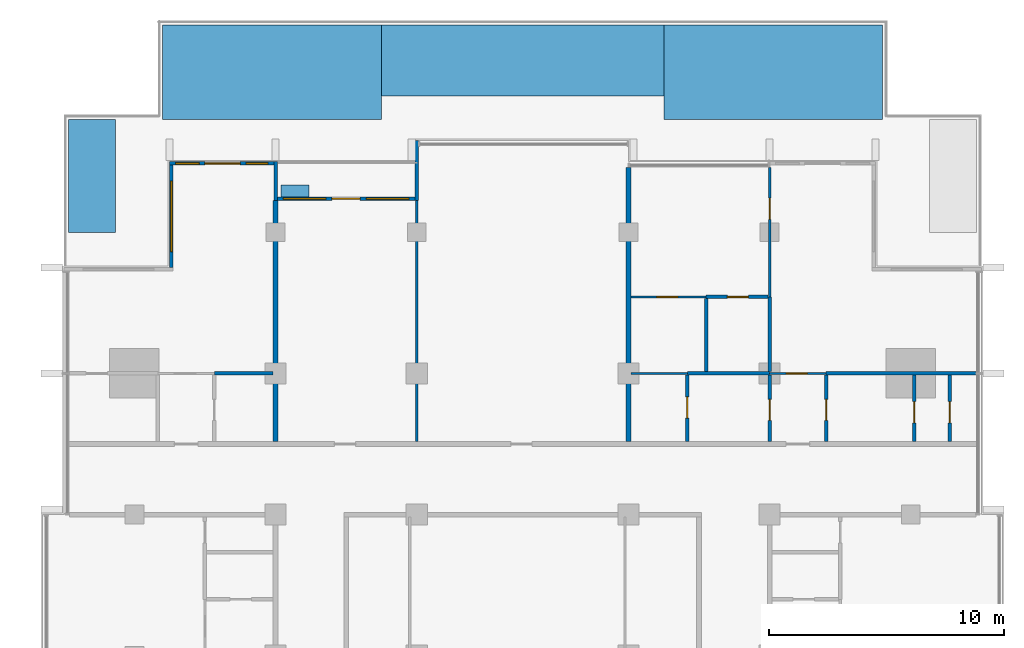
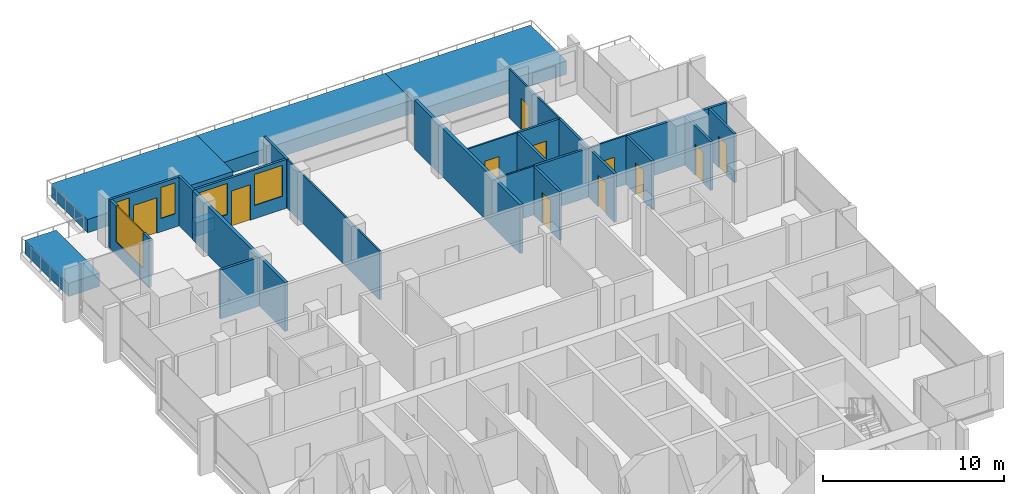
# One storey, part 10 of 17: 28 walls, 11 doors, 5 windows, 16 openings.
"""IFC4 building model written with IfcOpenShell, lengths in metres."""

from ifc_helpers import new_model, si_unit, direction, frame, frame_2d, origin, place, context, subcontext, project, spatial, rectangle, extrude, material, layer, layer_set, type_object, element, fill, save


model = new_model("IFC4")

# Units and contexts
model_context = context("Model", 3, precision=1e-05, world=origin(), true_north=direction((0.0, 1.0)))
body_context = subcontext(model_context, "Body", "Model", "MODEL_VIEW")
ifc_project = project(units=[si_unit("LENGTHUNIT", "METRE"), si_unit("AREAUNIT", "SQUARE_METRE"), si_unit("VOLUMEUNIT", "CUBIC_METRE"), si_unit("PLANEANGLEUNIT", "RADIAN"), si_unit("MASSUNIT", "GRAM", prefix="KILO")], contexts=[model_context])

# Site, building, storey
site_placement = place(None, origin())
site = spatial("IfcSite", under=ifc_project, at=site_placement, CompositionType="ELEMENT")
building_placement = place(site_placement, origin())
building = spatial("IfcBuilding", under=site, at=building_placement, Name="Finial Court Residences", CompositionType="ELEMENT")
storey_placement = place(building_placement, frame((0.0, 0.0, 205.10009765625)))
storey = spatial("IfcBuildingStorey", under=building, at=storey_placement, Name="L51", CompositionType="ELEMENT", Elevation=205.10009765625)

# Walls
ifc_material_1 = material(Name="Gypsum board")
ifc_layer_1 = layer(ifc_material_1, 0.02490234375)
ifc_material_2 = material(Name="Acoustic mineral wool in double frame")
ifc_layer_2 = layer(ifc_material_2, 0.14990234375)
ifc_layer_3 = layer(ifc_material_1, 0.02490234375)
ifc_layer_set_1 = layer_set([ifc_layer_1, ifc_layer_2, ifc_layer_3], Name="Corridor wall 200, 1 hour")
wall_type_1 = type_object("IfcWallType", Name="Corridor wall 200, 1 hour", PredefinedType="PARTITIONING", material=ifc_layer_set_1)
wall_1_placement = place(storey_placement, frame((-10.5, 4.60009765625, 0.0), z_axis=(0.0, 0.0, 1.0), x_axis=(0.0, 1.0, 0.0)))
element("IfcWall", 1, at=wall_1_placement, inside=storey, type_object=wall_type_1, Name="Partition L51-032", PredefinedType="PARTITIONING", context=body_context, shape_type="SweptSolid", body=[
    extrude(rectangle(XDim=10.25, YDim=0.199951171875, at=frame_2d((5.125, 0.0))), origin(), (0.0, 0.0, 1.0), 3.2998046875),
])
wall_2_placement = place(storey_placement, frame((4.5, 4.60009765625, 0.0), z_axis=(0.0, 0.0, 1.0), x_axis=(0.0, 1.0, 0.0)))
element("IfcWall", 2, at=wall_2_placement, inside=storey, type_object=wall_type_1, Name="Partition L51-037", PredefinedType="PARTITIONING", context=body_context, shape_type="SweptSolid", body=[
    extrude(rectangle(XDim=11.662353515625, YDim=0.199951171875, at=frame_2d((5.8310546875, 0.0))), origin(), (0.0, 0.0, 1.0), 3.2998046875),
])
ifc_layer_4 = layer(ifc_material_1, 0.012451171875)
ifc_material_3 = material(Name="Mineral wool in light-gauge frame")
ifc_layer_5 = layer(ifc_material_3, 0.074951171875)
ifc_layer_6 = layer(ifc_material_1, 0.012451171875)
ifc_layer_set_2 = layer_set([ifc_layer_4, ifc_layer_5, ifc_layer_6], Name="Gypsum board partition 100")
wall_type_2 = type_object("IfcWallType", Name="Gypsum board partition 100", PredefinedType="PARTITIONING", material=ifc_layer_set_2)
wall_3_placement = place(storey_placement, frame((4.60009765625, 7.5, 0.0), z_axis=(0.0, 0.0, 1.0), x_axis=(1.0, 0.0, 0.0)))
element("IfcWall", 3, at=wall_3_placement, inside=storey, type_object=wall_type_2, Name="Partition L51-018", PredefinedType="PARTITIONING", context=body_context, shape_type="SweptSolid", body=[
    extrude(rectangle(XDim=2.39990234375, YDim=0.10009765625, at=frame_2d((1.199951171875, 0.0))), origin(), (0.0, 0.0, 1.0), 3.2998046875),
])

# Wall, opening, door
wall_4_placement = place(storey_placement, frame((10.5, 7.5, 0.0), z_axis=(0.0, 0.0, 1.0), x_axis=(1.0, 0.0, 0.0)))
wall_4 = element("IfcWall", 4, at=wall_4_placement, inside=storey, type_object=wall_type_2, Name="Partition L51-019", PredefinedType="PARTITIONING", context=body_context, shape_type="SweptSolid", body=[
    extrude(rectangle(XDim=2.39990234375, YDim=0.10009765625, at=frame_2d((1.199951171875, 0.0))), origin(), (0.0, 0.0, 1.0), 3.2998046875),
])
opening_1_placement = place(wall_4_placement, frame((0.699951171875, 0.0, 0.0)))
opening_1 = element("IfcOpeningElement", 5, at=opening_1_placement, cuts=wall_4, Name="Opening L51-D021", PredefinedType="OPENING", context=body_context, shape_type="SweptSolid", body=[
    extrude(rectangle(XDim=0.89990234375, YDim=2.10009765625, at=frame_2d((0.449951171875, 1.050048828125))), frame((0.0, 0.06005859375, 0.0), z_axis=(0.0, -1.0, 0.0), x_axis=(1.0, 0.0, 0.0)), (0.0, 0.0, 1.0), 0.1201171875),
])
ifc_material_4 = material(Name="Timber door leaf in timber frame", Category="wood")
door_type_1 = type_object("IfcDoorType", Name="Door set 900 x 2100", OperationType="SINGLE_SWING_LEFT", PredefinedType="DOOR", material=ifc_material_4)
door_1_placement = place(opening_1_placement, origin())
door_1 = element("IfcDoor", 6, at=door_1_placement, inside=storey, type_object=door_type_1, Name="Door L51-D021", OperationType="SINGLE_SWING_RIGHT", OverallHeight=2.10009765625, OverallWidth=0.89990234375, PredefinedType="DOOR", context=body_context, shape_type="SweptSolid", body=[
    extrude(rectangle(XDim=0.89990234375, YDim=2.10009765625, at=frame_2d((0.449951171875, 1.050048828125))), frame((0.0, 0.02490234375, 0.0), z_axis=(0.0, -1.0, 0.0), x_axis=(1.0, 0.0, 0.0)), (0.0, 0.0, 1.0), 0.050048828125),
])
fill(opening_1, door_1)

wall_5_placement = place(storey_placement, frame((4.60009765625, 10.75, 0.0), z_axis=(0.0, 0.0, 1.0), x_axis=(1.0, 0.0, 0.0)))
wall_5 = element("IfcWall", 7, at=wall_5_placement, inside=storey, type_object=wall_type_2, Name="Partition L51-024", PredefinedType="PARTITIONING", context=body_context, shape_type="SweptSolid", body=[
    extrude(rectangle(XDim=3.199951171875, YDim=0.10009765625, at=frame_2d((1.60009765625, 0.0))), origin(), (0.0, 0.0, 1.0), 3.2998046875),
])
opening_2_placement = place(wall_5_placement, frame((1.10009765625, 0.0, 0.0)))
opening_2 = element("IfcOpeningElement", 8, at=opening_2_placement, cuts=wall_5, Name="Opening L51-D023", PredefinedType="OPENING", context=body_context, shape_type="SweptSolid", body=[
    extrude(rectangle(XDim=0.89990234375, YDim=2.10009765625, at=frame_2d((0.449951171875, 1.050048828125))), frame((0.0, 0.06005859375, 0.0), z_axis=(0.0, -1.0, 0.0), x_axis=(1.0, 0.0, 0.0)), (0.0, 0.0, 1.0), 0.1201171875),
])
door_2_placement = place(opening_2_placement, origin())
door_2 = element("IfcDoor", 9, at=door_2_placement, inside=storey, type_object=door_type_1, Name="Door L51-D023", OperationType="SINGLE_SWING_RIGHT", OverallHeight=2.10009765625, OverallWidth=0.89990234375, PredefinedType="DOOR", context=body_context, shape_type="SweptSolid", body=[
    extrude(rectangle(XDim=0.89990234375, YDim=2.10009765625, at=frame_2d((0.449951171875, 1.050048828125))), frame((0.0, 0.02490234375, 0.0), z_axis=(0.0, -1.0, 0.0), x_axis=(1.0, 0.0, 0.0)), (0.0, 0.0, 1.0), 0.050048828125),
])
fill(opening_2, door_2)

# Wall
wall_6_placement = place(storey_placement, frame((-4.5, 4.60009765625, 0.0), z_axis=(0.0, 0.0, 1.0), x_axis=(0.0, 1.0, 0.0)))
element("IfcWall", 10, at=wall_6_placement, inside=storey, type_object=wall_type_2, Name="Partition L51-035", PredefinedType="PARTITIONING", context=body_context, shape_type="SweptSolid", body=[
    extrude(rectangle(XDim=10.25, YDim=0.10009765625, at=frame_2d((5.125, 0.0))), origin(), (0.0, 0.0, 1.0), 3.2998046875),
])

# Wall, opening, door
wall_7_placement = place(storey_placement, frame((10.5, 10.75, 0.0), z_axis=(0.0, 0.0, 1.0), x_axis=(0.0, 1.0, 0.0)))
wall_7 = element("IfcWall", 11, at=wall_7_placement, inside=storey, type_object=wall_type_2, Name="Partition L51-042", PredefinedType="PARTITIONING", context=body_context, shape_type="SweptSolid", body=[
    extrude(rectangle(XDim=5.512451171875, YDim=0.10009765625, at=frame_2d((2.75634765625, 0.0))), origin(), (0.0, 0.0, 1.0), 3.2998046875),
])
opening_3_placement = place(wall_7_placement, frame((3.300048828125, 0.0, 0.0)))
opening_3 = element("IfcOpeningElement", 12, at=opening_3_placement, cuts=wall_7, Name="Opening L51-D029", PredefinedType="OPENING", context=body_context, shape_type="SweptSolid", body=[
    extrude(rectangle(XDim=0.89990234375, YDim=2.10009765625, at=frame_2d((0.449951171875, 1.050048828125))), frame((0.0, 0.06005859375, 0.0), z_axis=(0.0, -1.0, 0.0), x_axis=(1.0, 0.0, 0.0)), (0.0, 0.0, 1.0), 0.1201171875),
])
door_3_placement = place(opening_3_placement, origin())
door_3 = element("IfcDoor", 13, at=door_3_placement, inside=storey, type_object=door_type_1, Name="Door L51-D029", OperationType="SINGLE_SWING_LEFT", OverallHeight=2.10009765625, OverallWidth=0.89990234375, PredefinedType="DOOR", context=body_context, shape_type="SweptSolid", body=[
    extrude(rectangle(XDim=0.89990234375, YDim=2.10009765625, at=frame_2d((0.449951171875, 1.050048828125))), frame((0.0, 0.02490234375, 0.0), z_axis=(0.0, -1.0, 0.0), x_axis=(1.0, 0.0, 0.0)), (0.0, 0.0, 1.0), 0.050048828125),
])
fill(opening_3, door_3)

# Walls
ifc_material_5 = material(Name="Moisture-resistant gypsum board")
ifc_layer_7 = layer(ifc_material_5, 0.012451171875)
ifc_layer_8 = layer(ifc_material_3, 0.125)
ifc_layer_9 = layer(ifc_material_5, 0.012451171875)
ifc_layer_set_3 = layer_set([ifc_layer_7, ifc_layer_8, ifc_layer_9], Name="Gypsum board wet-area partition 150")
wall_type_3 = type_object("IfcWallType", Name="Gypsum board wet-area partition 150", PredefinedType="PARTITIONING", material=ifc_layer_set_3)
wall_8_placement = place(storey_placement, frame((-13.10009765625, 7.5, 0.0), z_axis=(0.0, 0.0, 1.0), x_axis=(1.0, 0.0, 0.0)))
element("IfcWall", 14, at=wall_8_placement, inside=storey, type_object=wall_type_3, Name="Partition L51-021", PredefinedType="PARTITIONING", context=body_context, shape_type="SweptSolid", body=[
    extrude(rectangle(XDim=2.5, YDim=0.14990234375, at=frame_2d((1.25, 0.0))), origin(), (0.0, 0.0, 1.0), 3.2998046875),
])
wall_9_placement = place(storey_placement, frame((7.0, 7.5, 0.0), z_axis=(0.0, 0.0, 1.0), x_axis=(1.0, 0.0, 0.0)))
element("IfcWall", 15, at=wall_9_placement, inside=storey, type_object=wall_type_3, Name="Partition L51-022", PredefinedType="PARTITIONING", context=body_context, shape_type="SweptSolid", body=[
    extrude(rectangle(XDim=3.5, YDim=0.14990234375, at=frame_2d((1.75, 0.0))), origin(), (0.0, 0.0, 1.0), 3.2998046875),
])
wall_10_placement = place(storey_placement, frame((12.89990234375, 7.5, 0.0), z_axis=(0.0, 0.0, 1.0), x_axis=(1.0, 0.0, 0.0)))
element("IfcWall", 16, at=wall_10_placement, inside=storey, type_object=wall_type_3, Name="Partition L51-023", PredefinedType="PARTITIONING", context=body_context, shape_type="SweptSolid", body=[
    extrude(rectangle(XDim=6.362548828125, YDim=0.14990234375, at=frame_2d((3.18115234375, 0.0))), origin(), (0.0, 0.0, 1.0), 3.2998046875),
])

# Wall, opening, door
wall_11_placement = place(storey_placement, frame((7.800048828125, 10.75, 0.0), z_axis=(0.0, 0.0, 1.0), x_axis=(1.0, 0.0, 0.0)))
wall_11 = element("IfcWall", 17, at=wall_11_placement, inside=storey, type_object=wall_type_3, Name="Partition L51-025", PredefinedType="PARTITIONING", context=body_context, shape_type="SweptSolid", body=[
    extrude(rectangle(XDim=2.625, YDim=0.14990234375, at=frame_2d((1.3125, 0.0))), origin(), (0.0, 0.0, 1.0), 3.2998046875),
])
opening_4_placement = place(wall_11_placement, frame((0.89990234375, 0.0, 0.0)))
opening_4 = element("IfcOpeningElement", 18, at=opening_4_placement, cuts=wall_11, Name="Opening L51-D024", PredefinedType="OPENING", context=body_context, shape_type="SweptSolid", body=[
    extrude(rectangle(XDim=0.89990234375, YDim=2.10009765625, at=frame_2d((0.449951171875, 1.050048828125))), frame((0.0, 0.0849609375, 0.0), z_axis=(0.0, -1.0, 0.0), x_axis=(1.0, 0.0, 0.0)), (0.0, 0.0, 1.0), 0.169921875),
])
door_4_placement = place(opening_4_placement, origin())
door_4 = element("IfcDoor", 19, at=door_4_placement, inside=storey, type_object=door_type_1, Name="Door L51-D024", OperationType="SINGLE_SWING_LEFT", OverallHeight=2.10009765625, OverallWidth=0.89990234375, PredefinedType="DOOR", context=body_context, shape_type="SweptSolid", body=[
    extrude(rectangle(XDim=0.89990234375, YDim=2.10009765625, at=frame_2d((0.449951171875, 1.050048828125))), frame((0.0, 0.02490234375, 0.0), z_axis=(0.0, -1.0, 0.0), x_axis=(1.0, 0.0, 0.0)), (0.0, 0.0, 1.0), 0.050048828125),
])
fill(opening_4, door_4)

wall_12_placement = place(storey_placement, frame((7.0, 4.60009765625, 0.0), z_axis=(0.0, 0.0, 1.0), x_axis=(0.0, 1.0, 0.0)))
wall_12 = element("IfcWall", 20, at=wall_12_placement, inside=storey, type_object=wall_type_3, Name="Partition L51-038", PredefinedType="PARTITIONING", context=body_context, shape_type="SweptSolid", body=[
    extrude(rectangle(XDim=2.824951171875, YDim=0.14990234375, at=frame_2d((1.41259765625, 0.0))), origin(), (0.0, 0.0, 1.0), 3.2998046875),
])
opening_5_placement = place(wall_12_placement, frame((1.0, 0.0, 0.0)))
opening_5 = element("IfcOpeningElement", 21, at=opening_5_placement, cuts=wall_12, Name="Opening L51-D028", PredefinedType="OPENING", context=body_context, shape_type="SweptSolid", body=[
    extrude(rectangle(XDim=0.89990234375, YDim=2.10009765625, at=frame_2d((0.449951171875, 1.050048828125))), frame((0.0, 0.0849609375, 0.0), z_axis=(0.0, -1.0, 0.0), x_axis=(1.0, 0.0, 0.0)), (0.0, 0.0, 1.0), 0.169921875),
])
door_5_placement = place(opening_5_placement, origin())
door_5 = element("IfcDoor", 22, at=door_5_placement, inside=storey, type_object=door_type_1, Name="Door L51-D028", OperationType="SINGLE_SWING_RIGHT", OverallHeight=2.10009765625, OverallWidth=0.89990234375, PredefinedType="DOOR", context=body_context, shape_type="SweptSolid", body=[
    extrude(rectangle(XDim=0.89990234375, YDim=2.10009765625, at=frame_2d((0.449951171875, 1.050048828125))), frame((0.0, 0.02490234375, 0.0), z_axis=(0.0, -1.0, 0.0), x_axis=(1.0, 0.0, 0.0)), (0.0, 0.0, 1.0), 0.050048828125),
])
fill(opening_5, door_5)

# Wall
wall_13_placement = place(storey_placement, frame((7.800048828125, 7.574951171875, 0.0), z_axis=(0.0, 0.0, 1.0), x_axis=(0.0, 1.0, 0.0)))
element("IfcWall", 23, at=wall_13_placement, inside=storey, type_object=wall_type_3, Name="Partition L51-040", PredefinedType="PARTITIONING", context=body_context, shape_type="SweptSolid", body=[
    extrude(rectangle(XDim=3.10009765625, YDim=0.14990234375, at=frame_2d((1.550048828125, 0.0))), origin(), (0.0, 0.0, 1.0), 3.2998046875),
])

# Wall, opening, door
wall_14_placement = place(storey_placement, frame((10.5, 4.60009765625, 0.0), z_axis=(0.0, 0.0, 1.0), x_axis=(0.0, 1.0, 0.0)))
wall_14 = element("IfcWall", 24, at=wall_14_placement, inside=storey, type_object=wall_type_3, Name="Partition L51-043", PredefinedType="PARTITIONING", context=body_context, shape_type="SweptSolid", body=[
    extrude(rectangle(XDim=2.824951171875, YDim=0.14990234375, at=frame_2d((1.41259765625, 0.0))), origin(), (0.0, 0.0, 1.0), 3.2998046875),
])
opening_6_placement = place(wall_14_placement, frame((0.89990234375, 0.0, 0.0)))
opening_6 = element("IfcOpeningElement", 25, at=opening_6_placement, cuts=wall_14, Name="Opening L51-D030", PredefinedType="OPENING", context=body_context, shape_type="SweptSolid", body=[
    extrude(rectangle(XDim=0.89990234375, YDim=2.10009765625, at=frame_2d((0.449951171875, 1.050048828125))), frame((0.0, 0.0849609375, 0.0), z_axis=(0.0, -1.0, 0.0), x_axis=(1.0, 0.0, 0.0)), (0.0, 0.0, 1.0), 0.169921875),
])
door_6_placement = place(opening_6_placement, origin())
door_6 = element("IfcDoor", 26, at=door_6_placement, inside=storey, type_object=door_type_1, Name="Door L51-D030", OperationType="SINGLE_SWING_LEFT", OverallHeight=2.10009765625, OverallWidth=0.89990234375, PredefinedType="DOOR", context=body_context, shape_type="SweptSolid", body=[
    extrude(rectangle(XDim=0.89990234375, YDim=2.10009765625, at=frame_2d((0.449951171875, 1.050048828125))), frame((0.0, 0.02490234375, 0.0), z_axis=(0.0, -1.0, 0.0), x_axis=(1.0, 0.0, 0.0)), (0.0, 0.0, 1.0), 0.050048828125),
])
fill(opening_6, door_6)

# Wall
wall_15_placement = place(storey_placement, frame((10.5, 7.574951171875, 0.0), z_axis=(0.0, 0.0, 1.0), x_axis=(0.0, 1.0, 0.0)))
element("IfcWall", 27, at=wall_15_placement, inside=storey, type_object=wall_type_3, Name="Partition L51-044", PredefinedType="PARTITIONING", context=body_context, shape_type="SweptSolid", body=[
    extrude(rectangle(XDim=3.175048828125, YDim=0.14990234375, at=frame_2d((1.58740234375, 0.0))), origin(), (0.0, 0.0, 1.0), 3.2998046875),
])

# Wall, opening, door
wall_16_placement = place(storey_placement, frame((12.89990234375, 4.60009765625, 0.0), z_axis=(0.0, 0.0, 1.0), x_axis=(0.0, 1.0, 0.0)))
wall_16 = element("IfcWall", 28, at=wall_16_placement, inside=storey, type_object=wall_type_3, Name="Partition L51-045", PredefinedType="PARTITIONING", context=body_context, shape_type="SweptSolid", body=[
    extrude(rectangle(XDim=2.824951171875, YDim=0.14990234375, at=frame_2d((1.41259765625, 0.0))), origin(), (0.0, 0.0, 1.0), 3.2998046875),
])
opening_7_placement = place(wall_16_placement, frame((0.89990234375, 0.0, 0.0)))
opening_7 = element("IfcOpeningElement", 29, at=opening_7_placement, cuts=wall_16, Name="Opening L51-D031", PredefinedType="OPENING", context=body_context, shape_type="SweptSolid", body=[
    extrude(rectangle(XDim=0.89990234375, YDim=2.10009765625, at=frame_2d((0.449951171875, 1.050048828125))), frame((0.0, 0.0849609375, 0.0), z_axis=(0.0, -1.0, 0.0), x_axis=(1.0, 0.0, 0.0)), (0.0, 0.0, 1.0), 0.169921875),
])
door_7_placement = place(opening_7_placement, origin())
door_7 = element("IfcDoor", 30, at=door_7_placement, inside=storey, type_object=door_type_1, Name="Door L51-D031", OperationType="SINGLE_SWING_RIGHT", OverallHeight=2.10009765625, OverallWidth=0.89990234375, PredefinedType="DOOR", context=body_context, shape_type="SweptSolid", body=[
    extrude(rectangle(XDim=0.89990234375, YDim=2.10009765625, at=frame_2d((0.449951171875, 1.050048828125))), frame((0.0, 0.02490234375, 0.0), z_axis=(0.0, -1.0, 0.0), x_axis=(1.0, 0.0, 0.0)), (0.0, 0.0, 1.0), 0.050048828125),
])
fill(opening_7, door_7)

wall_17_placement = place(storey_placement, frame((16.64990234375, 4.60009765625, 0.0), z_axis=(0.0, 0.0, 1.0), x_axis=(0.0, 1.0, 0.0)))
wall_17 = element("IfcWall", 31, at=wall_17_placement, inside=storey, type_object=wall_type_3, Name="Partition L51-049", PredefinedType="PARTITIONING", context=body_context, shape_type="SweptSolid", body=[
    extrude(rectangle(XDim=2.824951171875, YDim=0.14990234375, at=frame_2d((1.41259765625, 0.0))), origin(), (0.0, 0.0, 1.0), 3.2998046875),
])
opening_8_placement = place(wall_17_placement, frame((0.800048828125, 0.0, 0.0)))
opening_8 = element("IfcOpeningElement", 32, at=opening_8_placement, cuts=wall_17, Name="Opening L51-D034", PredefinedType="OPENING", context=body_context, shape_type="SweptSolid", body=[
    extrude(rectangle(XDim=0.89990234375, YDim=2.10009765625, at=frame_2d((0.449951171875, 1.050048828125))), frame((0.0, 0.0849609375, 0.0), z_axis=(0.0, -1.0, 0.0), x_axis=(1.0, 0.0, 0.0)), (0.0, 0.0, 1.0), 0.169921875),
])
door_8_placement = place(opening_8_placement, origin())
door_8 = element("IfcDoor", 33, at=door_8_placement, inside=storey, type_object=door_type_1, Name="Door L51-D034", OperationType="SINGLE_SWING_LEFT", OverallHeight=2.10009765625, OverallWidth=0.89990234375, PredefinedType="DOOR", context=body_context, shape_type="SweptSolid", body=[
    extrude(rectangle(XDim=0.89990234375, YDim=2.10009765625, at=frame_2d((0.449951171875, 1.050048828125))), frame((0.0, 0.02490234375, 0.0), z_axis=(0.0, -1.0, 0.0), x_axis=(1.0, 0.0, 0.0)), (0.0, 0.0, 1.0), 0.050048828125),
])
fill(opening_8, door_8)

wall_18_placement = place(storey_placement, frame((18.14990234375, 4.60009765625, 0.0), z_axis=(0.0, 0.0, 1.0), x_axis=(0.0, 1.0, 0.0)))
wall_18 = element("IfcWall", 34, at=wall_18_placement, inside=storey, type_object=wall_type_3, Name="Partition L51-050", PredefinedType="PARTITIONING", context=body_context, shape_type="SweptSolid", body=[
    extrude(rectangle(XDim=2.824951171875, YDim=0.14990234375, at=frame_2d((1.41259765625, 0.0))), origin(), (0.0, 0.0, 1.0), 3.2998046875),
])
opening_9_placement = place(wall_18_placement, frame((0.800048828125, 0.0, 0.0)))
opening_9 = element("IfcOpeningElement", 35, at=opening_9_placement, cuts=wall_18, Name="Opening L51-D035", PredefinedType="OPENING", context=body_context, shape_type="SweptSolid", body=[
    extrude(rectangle(XDim=0.89990234375, YDim=2.10009765625, at=frame_2d((0.449951171875, 1.050048828125))), frame((0.0, 0.0849609375, 0.0), z_axis=(0.0, -1.0, 0.0), x_axis=(1.0, 0.0, 0.0)), (0.0, 0.0, 1.0), 0.169921875),
])
door_9_placement = place(opening_9_placement, origin())
door_9 = element("IfcDoor", 36, at=door_9_placement, inside=storey, type_object=door_type_1, Name="Door L51-D035", OperationType="SINGLE_SWING_LEFT", OverallHeight=2.10009765625, OverallWidth=0.89990234375, PredefinedType="DOOR", context=body_context, shape_type="SweptSolid", body=[
    extrude(rectangle(XDim=0.89990234375, YDim=2.10009765625, at=frame_2d((0.449951171875, 1.050048828125))), frame((0.0, 0.02490234375, 0.0), z_axis=(0.0, -1.0, 0.0), x_axis=(1.0, 0.0, 0.0)), (0.0, 0.0, 1.0), 0.050048828125),
])
fill(opening_9, door_9)

# Wall, opening, window
ifc_material_6 = material(Name="Natural limestone", Category="masonry")
ifc_layer_10 = layer(ifc_material_6, 0.14990234375)
ifc_layer_set_4 = layer_set([ifc_layer_10], Name="Limestone clad wall 150")
wall_type_4 = type_object("IfcWallType", Name="Limestone clad wall 150", PredefinedType="SOLIDWALL", material=ifc_layer_set_4)
wall_19_placement = place(storey_placement, frame((-14.925048828125, 12.0, 0.0), z_axis=(0.0, 0.0, 1.0), x_axis=(0.0, 1.0, 0.0)))
wall_19 = element("IfcWall", 37, at=wall_19_placement, inside=storey, type_object=wall_type_4, Name="E-L51-NWW16", PredefinedType="SOLIDWALL", context=body_context, shape_type="SweptSolid", body=[
    extrude(rectangle(XDim=4.35009765625, YDim=0.14990234375, at=frame_2d((2.175048828125, 0.0))), origin(), (0.0, 0.0, 1.0), 3.2998046875),
])
opening_10_placement = place(wall_19_placement, frame((0.675048828125, 0.0, 0.89990234375)))
opening_10 = element("IfcOpeningElement", 38, at=opening_10_placement, cuts=wall_19, Name="Opening WE51-05", PredefinedType="OPENING", context=body_context, shape_type="SweptSolid", body=[
    extrude(rectangle(XDim=3.0, YDim=2.39990234375, at=frame_2d((1.5, 1.199951171875))), frame((0.0, 0.0849609375, 0.0), z_axis=(0.0, -1.0, 0.0), x_axis=(1.0, 0.0, 0.0)), (0.0, 0.0, 1.0), 0.169921875),
])
ifc_material_7 = material(Name="Clear low-e glass", Category="glass")
window_type_1 = type_object("IfcWindowType", Name="Corner window 3000 x 2400", PartitioningType="SINGLE_PANEL", PredefinedType="WINDOW", material=ifc_material_7)
window_1_placement = place(opening_10_placement, origin())
window_1 = element("IfcWindow", 39, at=window_1_placement, inside=storey, type_object=window_type_1, Name="E-L51-NWW16-W1", OverallHeight=2.39990234375, OverallWidth=3.0, PartitioningType="SINGLE_PANEL", PredefinedType="WINDOW", context=body_context, shape_type="SweptSolid", body=[
    extrude(rectangle(XDim=3.0, YDim=2.39990234375, at=frame_2d((1.5, 1.199951171875))), frame((0.0, 0.030029296875, 0.0), z_axis=(0.0, -1.0, 0.0), x_axis=(1.0, 0.0, 0.0)), (0.0, 0.0, 1.0), 0.06005859375),
])
fill(opening_10, window_1)

# Walls
wall_20_placement = place(storey_placement, frame((-10.5, 14.85009765625, 0.0), z_axis=(0.0, 0.0, 1.0), x_axis=(0.0, 1.0, 0.0)))
element("IfcWall", 40, at=wall_20_placement, inside=storey, type_object=wall_type_4, Name="E-L51-BALN2-P1", PredefinedType="SOLIDWALL", context=body_context, shape_type="SweptSolid", body=[
    extrude(rectangle(XDim=1.64990234375, YDim=0.14990234375, at=frame_2d((0.824951171875, 0.0))), origin(), (0.0, 0.0, 1.0), 3.2998046875),
])
wall_21_placement = place(storey_placement, frame((-4.5, 14.85009765625, 0.0), z_axis=(0.0, 0.0, 1.0), x_axis=(0.0, 1.0, 0.0)))
element("IfcWall", 41, at=wall_21_placement, inside=storey, type_object=wall_type_4, Name="E-L51-BALN2-P2", PredefinedType="SOLIDWALL", context=body_context, shape_type="SweptSolid", body=[
    extrude(rectangle(XDim=2.5498046875, YDim=0.14990234375, at=frame_2d((1.27490234375, 0.0))), origin(), (0.0, 0.0, 1.0), 3.2998046875),
])

# Wall, openings, door, windows
wall_22_placement = place(storey_placement, frame((-10.425048828125, 14.925048828125, 0.0), z_axis=(0.0, 0.0, 1.0), x_axis=(1.0, 0.0, 0.0)))
wall_22 = element("IfcWall", 42, at=wall_22_placement, inside=storey, type_object=wall_type_4, Name="E-L51-L51-BALN2-W", PredefinedType="SOLIDWALL", context=body_context, shape_type="SweptSolid", body=[
    extrude(rectangle(XDim=5.85009765625, YDim=0.14990234375, at=frame_2d((2.925048828125, 0.0))), origin(), (0.0, 0.0, 1.0), 3.2998046875),
])
opening_11_placement = place(wall_22_placement, frame((2.324951171875, 0.0, 0.0)))
opening_11 = element("IfcOpeningElement", 43, at=opening_11_placement, cuts=wall_22, Name="Opening DE51-01", PredefinedType="OPENING", context=body_context, shape_type="SweptSolid", body=[
    extrude(rectangle(XDim=1.199951171875, YDim=2.39990234375, at=frame_2d((0.60009765625, 1.199951171875))), frame((0.0, 0.0849609375, 0.0), z_axis=(0.0, -1.0, 0.0), x_axis=(1.0, 0.0, 0.0)), (0.0, 0.0, 1.0), 0.169921875),
])
opening_12_placement = place(wall_22_placement, frame((0.262451171875, 0.0, 0.89990234375)))
opening_12 = element("IfcOpeningElement", 44, at=opening_12_placement, cuts=wall_22, Name="Opening WE51-09", PredefinedType="OPENING", context=body_context, shape_type="SweptSolid", body=[
    extrude(rectangle(XDim=1.800048828125, YDim=2.10009765625, at=frame_2d((0.89990234375, 1.050048828125))), frame((0.0, 0.0849609375, 0.0), z_axis=(0.0, -1.0, 0.0), x_axis=(1.0, 0.0, 0.0)), (0.0, 0.0, 1.0), 0.169921875),
])
opening_13_placement = place(wall_22_placement, frame((3.78759765625, 0.0, 0.89990234375)))
opening_13 = element("IfcOpeningElement", 45, at=opening_13_placement, cuts=wall_22, Name="Opening WE51-10", PredefinedType="OPENING", context=body_context, shape_type="SweptSolid", body=[
    extrude(rectangle(XDim=1.800048828125, YDim=2.10009765625, at=frame_2d((0.89990234375, 1.050048828125))), frame((0.0, 0.0849609375, 0.0), z_axis=(0.0, -1.0, 0.0), x_axis=(1.0, 0.0, 0.0)), (0.0, 0.0, 1.0), 0.169921875),
])
ifc_material_8 = material(Name="Bronze anodised aluminium", Category="aluminium")
door_type_2 = type_object("IfcDoorType", Name="Balcony door 1200 x 2400", OperationType="SINGLE_SWING_LEFT", PredefinedType="DOOR", material=ifc_material_8)
door_10_placement = place(opening_11_placement, origin())
door_10 = element("IfcDoor", 46, at=door_10_placement, inside=storey, type_object=door_type_2, Name="E-L51-L51-BALN2-W-D", OperationType="SINGLE_SWING_LEFT", OverallHeight=2.39990234375, OverallWidth=1.199951171875, PredefinedType="DOOR", context=body_context, shape_type="SweptSolid", body=[
    extrude(rectangle(XDim=1.199951171875, YDim=2.39990234375, at=frame_2d((0.60009765625, 1.199951171875))), frame((0.0, 0.02490234375, 0.0), z_axis=(0.0, -1.0, 0.0), x_axis=(1.0, 0.0, 0.0)), (0.0, 0.0, 1.0), 0.050048828125),
])
fill(opening_11, door_10)
window_type_2 = type_object("IfcWindowType", Name="Balcony window 1800 x 2100", PartitioningType="SINGLE_PANEL", PredefinedType="WINDOW", material=ifc_material_7)
window_2_placement = place(opening_12_placement, origin())
window_2 = element("IfcWindow", 47, at=window_2_placement, inside=storey, type_object=window_type_2, Name="E-L51-L51-BALN2-W-W1", OverallHeight=2.10009765625, OverallWidth=1.800048828125, PartitioningType="SINGLE_PANEL", PredefinedType="WINDOW", context=body_context, shape_type="SweptSolid", body=[
    extrude(rectangle(XDim=1.800048828125, YDim=2.10009765625, at=frame_2d((0.89990234375, 1.050048828125))), frame((0.0, 0.030029296875, 0.0), z_axis=(0.0, -1.0, 0.0), x_axis=(1.0, 0.0, 0.0)), (0.0, 0.0, 1.0), 0.06005859375),
])
fill(opening_12, window_2)
window_3_placement = place(opening_13_placement, origin())
window_3 = element("IfcWindow", 48, at=window_3_placement, inside=storey, type_object=window_type_2, Name="E-L51-L51-BALN2-W-W2", OverallHeight=2.10009765625, OverallWidth=1.800048828125, PartitioningType="SINGLE_PANEL", PredefinedType="WINDOW", context=body_context, shape_type="SweptSolid", body=[
    extrude(rectangle(XDim=1.800048828125, YDim=2.10009765625, at=frame_2d((0.89990234375, 1.050048828125))), frame((0.0, 0.030029296875, 0.0), z_axis=(0.0, -1.0, 0.0), x_axis=(1.0, 0.0, 0.0)), (0.0, 0.0, 1.0), 0.06005859375),
])
fill(opening_13, window_3)

wall_23_placement = place(storey_placement, frame((-15.0, 16.425048828125, 0.0), z_axis=(0.0, 0.0, 1.0), x_axis=(1.0, 0.0, 0.0)))
wall_23 = element("IfcWall", 49, at=wall_23_placement, inside=storey, type_object=wall_type_4, Name="E-L51-L51-TD1-W", PredefinedType="SOLIDWALL", context=body_context, shape_type="SweptSolid", body=[
    extrude(rectangle(XDim=4.425048828125, YDim=0.14990234375, at=frame_2d((2.21240234375, 0.0))), origin(), (0.0, 0.0, 1.0), 3.2998046875),
])
opening_14_placement = place(wall_23_placement, frame((1.5, 0.0, 0.0)))
opening_14 = element("IfcOpeningElement", 50, at=opening_14_placement, cuts=wall_23, Name="Opening DE51-02", PredefinedType="OPENING", context=body_context, shape_type="SweptSolid", body=[
    extrude(rectangle(XDim=1.5, YDim=2.39990234375, at=frame_2d((0.75, 1.199951171875))), frame((0.0, 0.0849609375, 0.0), z_axis=(0.0, -1.0, 0.0), x_axis=(1.0, 0.0, 0.0)), (0.0, 0.0, 1.0), 0.169921875),
])
opening_15_placement = place(wall_23_placement, frame((0.25, 0.0, 0.89990234375)))
opening_15 = element("IfcOpeningElement", 51, at=opening_15_placement, cuts=wall_23, Name="Opening WE51-11", PredefinedType="OPENING", context=body_context, shape_type="SweptSolid", body=[
    extrude(rectangle(XDim=1.0, YDim=2.10009765625, at=frame_2d((0.5, 1.050048828125))), frame((0.0, 0.0849609375, 0.0), z_axis=(0.0, -1.0, 0.0), x_axis=(1.0, 0.0, 0.0)), (0.0, 0.0, 1.0), 0.169921875),
])
opening_16_placement = place(wall_23_placement, frame((3.25, 0.0, 0.89990234375)))
opening_16 = element("IfcOpeningElement", 52, at=opening_16_placement, cuts=wall_23, Name="Opening WE51-12", PredefinedType="OPENING", context=body_context, shape_type="SweptSolid", body=[
    extrude(rectangle(XDim=0.925048828125, YDim=2.10009765625, at=frame_2d((0.46240234375, 1.050048828125))), frame((0.0, 0.0849609375, 0.0), z_axis=(0.0, -1.0, 0.0), x_axis=(1.0, 0.0, 0.0)), (0.0, 0.0, 1.0), 0.169921875),
])
door_type_3 = type_object("IfcDoorType", Name="Terrace door 1500 x 2400", OperationType="DOUBLE_DOOR_SINGLE_SWING", PredefinedType="DOOR", material=ifc_material_8)
door_11_placement = place(opening_14_placement, origin())
door_11 = element("IfcDoor", 53, at=door_11_placement, inside=storey, type_object=door_type_3, Name="E-L51-L51-TD1-W-D", OperationType="DOUBLE_DOOR_SINGLE_SWING", OverallHeight=2.39990234375, OverallWidth=1.5, PredefinedType="DOOR", context=body_context, shape_type="SweptSolid", body=[
    extrude(rectangle(XDim=1.5, YDim=2.39990234375, at=frame_2d((0.75, 1.199951171875))), frame((0.0, 0.02490234375, 0.0), z_axis=(0.0, -1.0, 0.0), x_axis=(1.0, 0.0, 0.0)), (0.0, 0.0, 1.0), 0.050048828125),
])
fill(opening_14, door_11)
window_type_3 = type_object("IfcWindowType", Name="Terrace window 1000 x 2100", PartitioningType="SINGLE_PANEL", PredefinedType="WINDOW", material=ifc_material_7)
window_4_placement = place(opening_15_placement, origin())
window_4 = element("IfcWindow", 54, at=window_4_placement, inside=storey, type_object=window_type_3, Name="E-L51-L51-TD1-W-W1", OverallHeight=2.10009765625, OverallWidth=1.0, PartitioningType="SINGLE_PANEL", PredefinedType="WINDOW", context=body_context, shape_type="SweptSolid", body=[
    extrude(rectangle(XDim=1.0, YDim=2.10009765625, at=frame_2d((0.5, 1.050048828125))), frame((0.0, 0.030029296875, 0.0), z_axis=(0.0, -1.0, 0.0), x_axis=(1.0, 0.0, 0.0)), (0.0, 0.0, 1.0), 0.06005859375),
])
fill(opening_15, window_4)
window_type_4 = type_object("IfcWindowType", Name="Terrace window 925 x 2100", PartitioningType="SINGLE_PANEL", PredefinedType="WINDOW", material=ifc_material_7)
window_5_placement = place(opening_16_placement, origin())
window_5 = element("IfcWindow", 55, at=window_5_placement, inside=storey, type_object=window_type_4, Name="E-L51-L51-TD1-W-W2", OverallHeight=2.10009765625, OverallWidth=0.925048828125, PartitioningType="SINGLE_PANEL", PredefinedType="WINDOW", context=body_context, shape_type="SweptSolid", body=[
    extrude(rectangle(XDim=0.925048828125, YDim=2.10009765625, at=frame_2d((0.46240234375, 1.050048828125))), frame((0.0, 0.030029296875, 0.0), z_axis=(0.0, -1.0, 0.0), x_axis=(1.0, 0.0, 0.0)), (0.0, 0.0, 1.0), 0.06005859375),
])
fill(opening_16, window_5)

# Walls
ifc_material_9 = material(Name="Concrete C40/50", Category="concrete")
ifc_layer_11 = layer(ifc_material_9, 0.10009765625)
ifc_material_10 = material(Name="Planting soil", Category="soil")
ifc_layer_12 = layer(ifc_material_10, 0.300048828125)
ifc_layer_13 = layer(ifc_material_9, 0.10009765625)
ifc_layer_set_5 = layer_set([ifc_layer_11, ifc_layer_12, ifc_layer_13], Name="Planter wall, balcony")
wall_type_5 = type_object("IfcWallType", Name="Planter wall, balcony", PredefinedType="USERDEFINED", material=ifc_layer_set_5)
wall_24_placement = place(storey_placement, frame((-10.27490234375, 15.25, 0.0), z_axis=(0.0, 0.0, 1.0), x_axis=(1.0, 0.0, 0.0)))
element("IfcWall", 56, at=wall_24_placement, inside=storey, type_object=wall_type_5, Name="E-L51-BALN2-PL", ObjectType="PLANTER", PredefinedType="USERDEFINED", context=body_context, shape_type="SweptSolid", body=[
    extrude(rectangle(XDim=1.199951171875, YDim=0.5, at=frame_2d((0.60009765625, 0.0))), origin(), (0.0, 0.0, 1.0), 0.89990234375),
])
ifc_layer_14 = layer(ifc_material_9, 0.199951171875)
ifc_layer_15 = layer(ifc_material_10, 1.60009765625)
ifc_layer_16 = layer(ifc_material_9, 0.199951171875)
ifc_layer_set_6 = layer_set([ifc_layer_14, ifc_layer_15, ifc_layer_16], Name="Planter wall, terrace 2000")
wall_type_6 = type_object("IfcWallType", Name="Planter wall, terrace 2000", PredefinedType="USERDEFINED", material=ifc_layer_set_6)
wall_25_placement = place(storey_placement, frame((-18.300048828125, 13.5, 0.0), z_axis=(0.0, 0.0, 1.0), x_axis=(0.0, 1.0, 0.0)))
element("IfcWall", 57, at=wall_25_placement, inside=storey, type_object=wall_type_6, Name="E-L51-TER1-PL1", ObjectType="PLANTER", PredefinedType="USERDEFINED", context=body_context, shape_type="SweptSolid", body=[
    extrude(rectangle(XDim=4.800048828125, YDim=2.0, at=frame_2d((2.39990234375, 0.0))), origin(), (0.0, 0.0, 1.0), 0.89990234375),
])
ifc_layer_17 = layer(ifc_material_9, 0.199951171875)
ifc_layer_18 = layer(ifc_material_10, 2.60009765625)
ifc_layer_19 = layer(ifc_material_9, 0.199951171875)
ifc_layer_set_7 = layer_set([ifc_layer_17, ifc_layer_18, ifc_layer_19], Name="Planter wall, terrace 3000")
wall_type_7 = type_object("IfcWallType", Name="Planter wall, terrace 3000", PredefinedType="USERDEFINED", material=ifc_layer_set_7)
wall_26_placement = place(storey_placement, frame((-6.0, 20.800048828125, 0.0), z_axis=(0.0, 0.0, 1.0), x_axis=(1.0, 0.0, 0.0)))
element("IfcWall", 58, at=wall_26_placement, inside=storey, type_object=wall_type_7, Name="E-L51-TER1-PL5", ObjectType="PLANTER", PredefinedType="USERDEFINED", context=body_context, shape_type="SweptSolid", body=[
    extrude(rectangle(XDim=12.0, YDim=3.0, at=frame_2d((6.0, 0.0))), origin(), (0.0, 0.0, 1.0), 0.89990234375),
])
ifc_layer_20 = layer(ifc_material_9, 0.199951171875)
ifc_layer_21 = layer(ifc_material_10, 3.60009765625)
ifc_layer_22 = layer(ifc_material_9, 0.199951171875)
ifc_layer_set_8 = layer_set([ifc_layer_20, ifc_layer_21, ifc_layer_22], Name="Planter wall, terrace 4000")
wall_type_8 = type_object("IfcWallType", Name="Planter wall, terrace 4000", PredefinedType="USERDEFINED", material=ifc_layer_set_8)
for number, where, z_axis, x_axis, name in (
    (59, (-15.300048828125, 20.300048828125, 0.0), (0.0, 0.0, 1.0), (1.0, 0.0, 0.0), "E-L51-TER1-PL3"),
    (60, (6.0, 20.300048828125, 0.0), (0.0, 0.0, 1.0), (1.0, 0.0, 0.0), "E-L51-TER1-PL4"),
):
    element("IfcWall", number, at=place(storey_placement, frame(where, z_axis=z_axis, x_axis=x_axis)), inside=storey, type_object=wall_type_8, Name=name, ObjectType="PLANTER", PredefinedType="USERDEFINED", context=body_context, shape_type="SweptSolid", body=[
        extrude(rectangle(XDim=9.300048828125, YDim=4.0, at=frame_2d((4.64990234375, 0.0))), origin(), (0.0, 0.0, 1.0), 0.89990234375),
    ])

save(model, "model.ifc")
